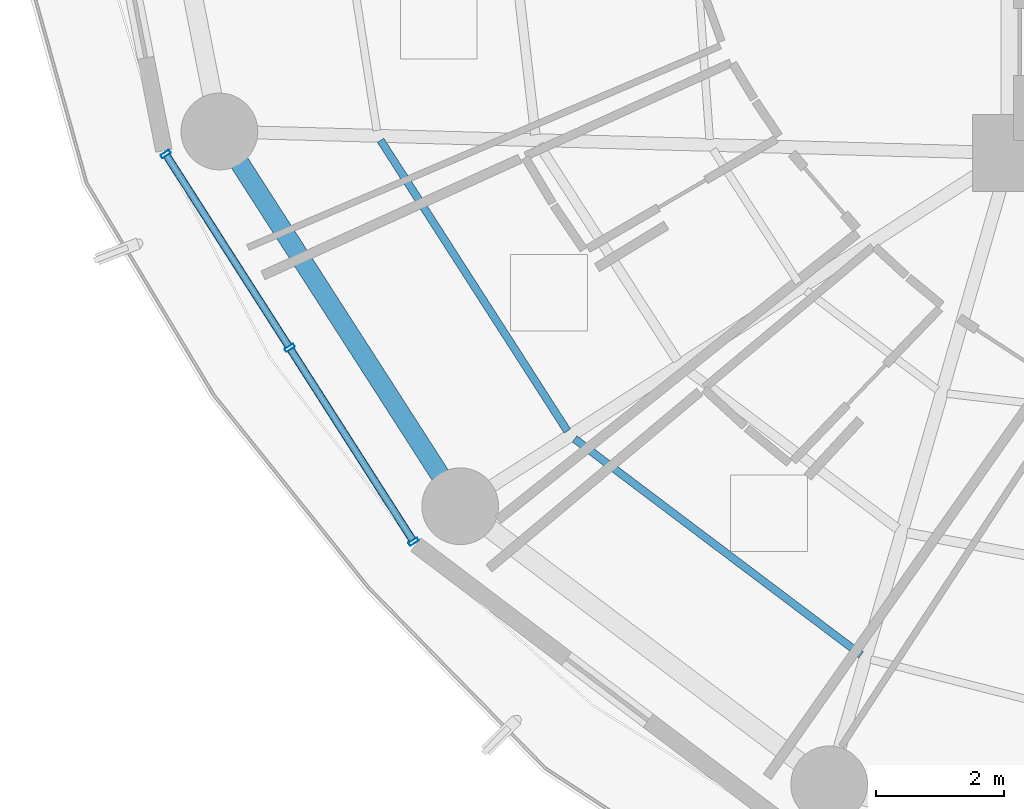
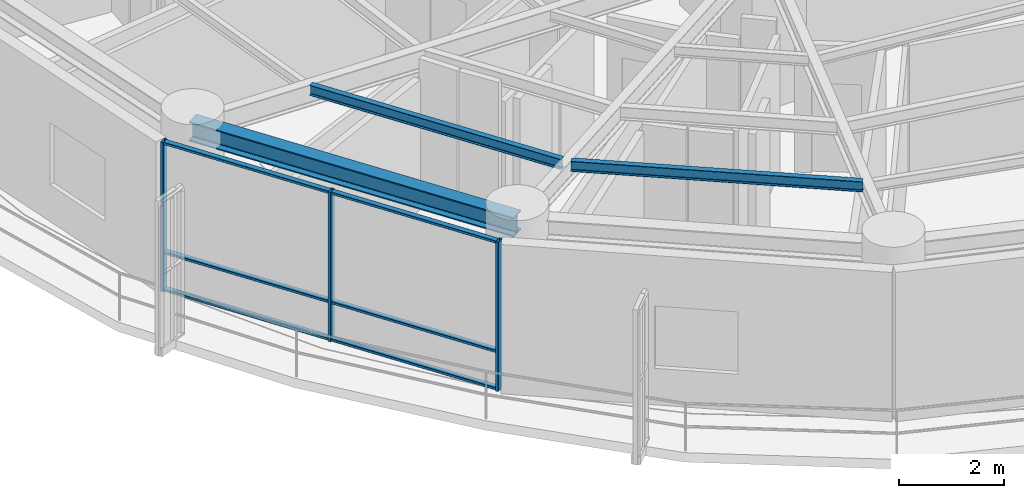
# One storey, part 2 of 27: 9 members, 3 beams, 1 element without a shape of its own.
"""IFC4 building model written with IfcOpenShell, lengths in metres."""

import ifcopenshell
import ifcopenshell.guid

model = None  # the IFC model being written
_history = None  # IfcOwnerHistory: only IFC2X3 demands one
_inside = {}  # id of a spatial element -> (the spatial element, [elements in it])
_under = {}  # id of a project, library or spatial element -> (it, [spatial elements below it])
_declared = {}  # id of a project -> (the project, [libraries it declares])
_typed = {}  # id of a type object -> (the type object, [elements of that type])
_made_of = {}  # id of a material, layer set ... -> (it, [elements and type objects made of it])


def new_model(schema):
    """Start an empty IFC model of exactly this schema.

    Asked for "IFC4X3", IfcOpenShell would pick the latest addendum, in which some entities
    have other attributes; the version numbers below select the first issue.
    IFC2X3 requires an IfcOwnerHistory on every rooted entity: one is made here for all.
    """
    global model, _history
    if schema == "IFC4X3":
        model = ifcopenshell.file(schema_version=(4, 3, 0, 0))
    else:
        model = ifcopenshell.file(schema=schema)
    _inside.clear()
    _under.clear()
    _declared.clear()
    _typed.clear()
    _made_of.clear()
    _history = None
    if model.schema == "IFC2X3":
        org = make("IfcOrganization", Name="unknown")
        user = make(
            "IfcPersonAndOrganization",
            ThePerson=make("IfcPerson", FamilyName="unknown"),
            TheOrganization=org,
        )
        app = make(
            "IfcApplication",
            ApplicationDeveloper=org,
            Version="unknown",
            ApplicationFullName="unknown",
            ApplicationIdentifier="unknown",
        )
        _history = make(
            "IfcOwnerHistory",
            OwningUser=user,
            OwningApplication=app,
            ChangeAction="ADDED",
            CreationDate=0,
        )
    return model


def make(cls, **values):
    """One entity of the class cls with the attributes given. An attribute that is None is left unset."""
    return model.create_entity(
        cls, **{name: value for name, value in values.items() if value is not None}
    )


def rooted(cls, **values):
    """An entity with a GlobalId (a new one), such as an element, a storey or a relation."""
    return make(cls, GlobalId=ifcopenshell.guid.new(), OwnerHistory=_history, **values)


def si_unit(unit_type, name, prefix=None):
    """IfcSIUnit, for example si_unit("LENGTHUNIT", "METRE", prefix="MILLI")."""
    return make("IfcSIUnit", UnitType=unit_type, Prefix=prefix, Name=name)


def assignment(units):
    """IfcUnitAssignment: the units of a project."""
    return None if units is None else make("IfcUnitAssignment", Units=units)


def point(xyz):
    """IfcCartesianPoint."""
    return None if xyz is None else make("IfcCartesianPoint", Coordinates=xyz)


def direction(xyz):
    """IfcDirection."""
    return None if xyz is None else make("IfcDirection", DirectionRatios=xyz)


def frame(location, z_axis=None, x_axis=None):
    """IfcAxis2Placement3D, a coordinate frame: its origin and axes. An axis left out is left unset."""
    return make(
        "IfcAxis2Placement3D",
        Location=point(location),
        Axis=direction(z_axis),
        RefDirection=direction(x_axis),
    )


def frame_2d(location, x_axis=None):
    """IfcAxis2Placement2D, a coordinate frame in the plane: its origin and x axis."""
    return make(
        "IfcAxis2Placement2D", Location=point(location), RefDirection=direction(x_axis)
    )


def origin():
    """The frame at (0, 0, 0) with its axes left unset."""
    return frame((0.0, 0.0, 0.0))


def origin_2d():
    """The frame at (0, 0) in the plane with its x axis left unset."""
    return frame_2d((0.0, 0.0))


def place(relative_to, where):
    """IfcLocalPlacement: puts the frame where relative to a parent placement (None: the world)."""
    return make(
        "IfcLocalPlacement", PlacementRelTo=relative_to, RelativePlacement=where
    )


def context(
    kind, dimensions, precision=None, world=None, true_north=None, identifier=None
):
    """IfcGeometricRepresentationContext, for example the 3D "Model" context."""
    return make(
        "IfcGeometricRepresentationContext",
        ContextIdentifier=identifier,
        ContextType=kind,
        CoordinateSpaceDimension=dimensions,
        Precision=precision,
        WorldCoordinateSystem=world,
        TrueNorth=true_north,
    )


def subcontext(parent, identifier, kind, view, scale=None):
    """IfcGeometricRepresentationSubContext, for example "Body" below "Model"."""
    return make(
        "IfcGeometricRepresentationSubContext",
        ContextIdentifier=identifier,
        ContextType=kind,
        ParentContext=parent,
        TargetScale=scale,
        TargetView=view,
    )


def project(units=None, contexts=None):
    """IfcProject with its units and contexts."""
    return rooted(
        "IfcProject",
        Name="project",
        RepresentationContexts=contexts,
        UnitsInContext=assignment(units),
    )


def spatial(cls, under=None, at=None, **own):
    """A site, building, storey or space (cls), placed at a placement, below another one or the project."""
    s = rooted(cls, ObjectPlacement=at, **own)
    if under is not None:
        _under.setdefault(under.id(), (under, []))[1].append(s)
    return s


def profile(cls, at=None, kind="AREA", **sizes):
    """A parametric profile (cls). Its sizes go by their IFC names, for example OverallWidth=200.0."""
    return make(cls, ProfileType=kind, Position=at, **sizes)


def hollow_rectangle(**sizes):
    """IfcRectangleHollowProfileDef."""
    return profile("IfcRectangleHollowProfileDef", **sizes)


def i_section(**sizes):
    """IfcIShapeProfileDef."""
    return profile("IfcIShapeProfileDef", **sizes)


def extrude(swept, where, along, depth):
    """IfcExtrudedAreaSolid: the profile swept, set in the frame where, extruded along a direction by depth."""
    return make(
        "IfcExtrudedAreaSolid",
        SweptArea=swept,
        Position=where,
        ExtrudedDirection=direction(along),
        Depth=depth,
    )


def shape(context_of_items, identifier, shape_type, items):
    """IfcShapeRepresentation: the items that make up one representation, for example the "Body"."""
    return make(
        "IfcShapeRepresentation",
        ContextOfItems=context_of_items,
        RepresentationIdentifier=identifier,
        RepresentationType=shape_type,
        Items=items,
    )


def material(Name=None, Category=None):
    """IfcMaterial."""
    return make("IfcMaterial", Name=Name, Category=Category)


def layer(
    of_material, thickness, ventilated=None, Name=None, Category=None, Priority=None
):
    """IfcMaterialLayer: one layer of a wall or slab, of a material (None: an air gap)."""
    return make(
        "IfcMaterialLayer",
        Material=of_material,
        LayerThickness=thickness,
        IsVentilated=ventilated,
        Name=Name,
        Category=Category,
        Priority=Priority,
    )


def layer_set(layers, Name=None):
    """IfcMaterialLayerSet."""
    return make("IfcMaterialLayerSet", MaterialLayers=layers, LayerSetName=Name)


def material_profile(
    of_material, cross_section, Name=None, Category=None, Priority=None
):
    """IfcMaterialProfile: a cross section and its material."""
    return make(
        "IfcMaterialProfile",
        Name=Name,
        Material=of_material,
        Profile=cross_section,
        Priority=Priority,
        Category=Category,
    )


def profile_set(profiles, Name=None, composite=None):
    """IfcMaterialProfileSet."""
    return make(
        "IfcMaterialProfileSet",
        Name=Name,
        MaterialProfiles=profiles,
        CompositeProfile=composite,
    )


def made_of(thing, what):
    """Note that an element or type object is made of a material, layer set ...; save() writes the relation."""
    if what is not None:
        _made_of.setdefault(what.id(), (what, []))[1].append(thing)
    return thing


def type_object(cls, material=None, **own):
    """A type object (cls), such as IfcWallType, which elements share."""
    return made_of(rooted(cls, **own), material)


def element(
    cls,
    number,
    at=None,
    inside=None,
    cuts=None,
    type_object=None,
    material=None,
    context=None,
    identifier="Body",
    shape_type=None,
    held_by="IfcProductDefinitionShape",
    body=None,
    shapes=None,
    **own,
):
    """One element of the class cls, such as IfcWall. Its Tag is "e" and its number.

    at: its placement. inside: the storey or other place that contains it. cuts: it is an
    opening in that element (IfcRelVoidsElement). A single representation is given by context,
    identifier, shape_type and body (its items); several are given by shapes. held_by: the class
    of the entity that holds the representations. save() writes the other relations.
    """
    e = rooted(cls, Tag="e%d" % number, ObjectPlacement=at, **own)
    if body is not None:
        shapes = [shape(context, identifier, shape_type, body)]
    if shapes is not None:
        e.Representation = make(held_by, Representations=shapes)
    if inside is not None:
        _inside.setdefault(inside.id(), (inside, []))[1].append(e)
    if cuts is not None:
        rooted(
            "IfcRelVoidsElement", RelatingBuildingElement=cuts, RelatedOpeningElement=e
        )
    if type_object is not None:
        _typed.setdefault(type_object.id(), (type_object, []))[1].append(e)
    return made_of(e, material)


def aggregate(whole, parts):
    """IfcRelAggregates: a whole, such as a stair, and the parts it consists of."""
    return rooted("IfcRelAggregates", RelatingObject=whole, RelatedObjects=parts)


def save(model, path):
    """Write the relations noted so far, then the file.

    IfcRelAggregates (storeys below a building ...), IfcRelContainedInSpatialStructure (elements
    in a storey), IfcRelDefinesByType, IfcRelAssociatesMaterial and IfcRelDeclares: one each for
    every whole, place, type object, material and project.
    """
    for whole, parts in _under.values():
        aggregate(whole, parts)
    for where, things in _inside.values():
        rooted(
            "IfcRelContainedInSpatialStructure",
            RelatedElements=things,
            RelatingStructure=where,
        )
    for kind, things in _typed.values():
        rooted("IfcRelDefinesByType", RelatedObjects=things, RelatingType=kind)
    for what, things in _made_of.values():
        rooted("IfcRelAssociatesMaterial", RelatedObjects=things, RelatingMaterial=what)
    for by, libraries in _declared.values():
        rooted("IfcRelDeclares", RelatingContext=by, RelatedDefinitions=libraries)
    model.write(path)


model = new_model("IFC4")

# Units and contexts
model_context = context("Model", 3, precision=1e-05, world=origin(), true_north=direction((0.0, 1.0)))
body_context = subcontext(model_context, "Body", "Model", "MODEL_VIEW")
ifc_project = project(units=[si_unit("LENGTHUNIT", "METRE"), si_unit("AREAUNIT", "SQUARE_METRE"), si_unit("VOLUMEUNIT", "CUBIC_METRE"), si_unit("PLANEANGLEUNIT", "RADIAN"), si_unit("MASSUNIT", "GRAM", prefix="KILO")], contexts=[model_context])

# Site, building, storey
site_placement = place(None, origin())
site = spatial("IfcSite", under=ifc_project, at=site_placement, CompositionType="ELEMENT")
building_placement = place(site_placement, origin())
building = spatial("IfcBuilding", under=site, at=building_placement, Name="Kelanora Arch Commons", CompositionType="ELEMENT")
storey_placement = place(building_placement, frame((0.0, 0.0, 173.10009765625)))
storey = spatial("IfcBuildingStorey", under=building, at=storey_placement, Name="L44", CompositionType="ELEMENT", Elevation=173.10009765625)

# Beams
ifc_material_1 = material(Name="Steel S355", Category="steel")
ifc_material_profile_1 = material_profile(ifc_material_1, i_section(OverallWidth=0.1201171875, OverallDepth=0.239990234375, WebThickness=0.006103515625, FlangeThickness=0.009765625, FilletRadius=0.014892578125, at=origin_2d()), Name="IPE240")
ifc_profile_set_1 = profile_set([ifc_material_profile_1], Name="Steel S355")
beam_type_1 = type_object("IfcBeamType", Name="BM-JST-02", PredefinedType="JOIST", material=ifc_profile_set_1)
beam_1_placement = place(storey_placement, frame((56.14794921875, 51.198486328125, 3.369873046875), z_axis=(0.540581678156, -0.841291536414, 0.0), x_axis=(0.841291536414, 0.540581678156, 0.0)))
element("IfcBeam", 1, at=beam_1_placement, inside=storey, type_object=beam_type_1, Name="Secondary Chord Joist BJC-20 L44", PredefinedType="JOIST", context=body_context, shape_type="SweptSolid", body=[
    extrude(i_section(OverallWidth=0.1201171875, OverallDepth=0.239990234375, WebThickness=0.006103515625, FlangeThickness=0.009765625, FilletRadius=0.014892578125, at=origin_2d()), origin(), (0.0, 0.0, 1.0), 5.4013671875),
])
beam_2_placement = place(storey_placement, frame((59.181640625, 46.531494140625, 3.369873046875), z_axis=(0.798493128577, -0.602003923256, 0.0), x_axis=(0.602003923256, 0.798493128577, 0.0)))
element("IfcBeam", 2, at=beam_2_placement, inside=storey, type_object=beam_type_1, Name="Secondary Chord Joist BJC-22 L44", PredefinedType="JOIST", context=body_context, shape_type="SweptSolid", body=[
    extrude(i_section(OverallWidth=0.1201171875, OverallDepth=0.239990234375, WebThickness=0.006103515625, FlangeThickness=0.009765625, FilletRadius=0.014892578125, at=origin_2d()), origin(), (0.0, 0.0, 1.0), 5.608642578125),
])
ifc_material_profile_2 = material_profile(ifc_material_1, i_section(OverallWidth=0.300048828125, OverallDepth=0.449951171875, WebThickness=0.013916015625, FlangeThickness=0.02587890625, FilletRadius=0.027099609375, at=origin_2d()), Name="HEB450")
ifc_profile_set_2 = profile_set([ifc_material_profile_2], Name="Steel S355")
beam_type_2 = type_object("IfcBeamType", Name="BM-SPN-Z3", PredefinedType="SPANDREL", material=ifc_profile_set_2)
beam_3_placement = place(storey_placement, frame((53.62744140625, 51.33740234375, 3.264892578125), z_axis=(0.540576852469, -0.841294637196, 0.0), x_axis=(0.841294637196, 0.540576852469, 0.0)))
element("IfcBeam", 3, at=beam_3_placement, inside=storey, type_object=beam_type_2, Name="Perimeter Spandrel Beam BS-20 L44", PredefinedType="SPANDREL", context=body_context, shape_type="SweptSolid", body=[
    extrude(i_section(OverallWidth=0.300048828125, OverallDepth=0.449951171875, WebThickness=0.013916015625, FlangeThickness=0.02587890625, FilletRadius=0.027099609375, at=origin_2d()), origin(), (0.0, 0.0, 1.0), 6.964111328125),
])

# Curtain wall, members
ifc_material_2 = material(Name="Terracotta ceramic-fritted low-E glass and aluminium", Category="masonry")
ifc_layer = layer(ifc_material_2, 0.175048828125)
ifc_layer_set = layer_set([ifc_layer], Name="Terracotta ceramic-fritted low-E glass and aluminium")
curtain_wall_type = type_object("IfcCurtainWallType", Name="CW-SYS-02", PredefinedType="NOTDEFINED", material=ifc_layer_set)
curtain_wall_placement = place(storey_placement, origin())
curtain_wall = element("IfcCurtainWall", 4, at=curtain_wall_placement, inside=storey, type_object=curtain_wall_type, Name="Unitised Curtain Wall L44-B10", PredefinedType="NOTDEFINED")
ifc_material_3 = material(Name="Powder-coated aluminium terracotta", Category="masonry")
ifc_material_profile_3 = material_profile(ifc_material_3, hollow_rectangle(XDim=0.159912109375, YDim=0.06005859375, WallThickness=0.0048828125, InnerFilletRadius=0.0048828125, OuterFilletRadius=0.010009765625, at=origin_2d()), Name="CWM160x60")
ifc_profile_set_3 = profile_set([ifc_material_profile_3], Name="Powder-coated aluminium terracotta")
member_type_1 = type_object("IfcMemberType", Name="CWM-STD", PredefinedType="MULLION", material=ifc_profile_set_3)
member_1_placement = place(storey_placement, frame((52.787109375, 50.98486328125, 0.0), z_axis=(0.0, 0.0, 1.0), x_axis=(0.842422846546, 0.538816988983, 0.0)))
member_1 = element("IfcMember", 5, at=member_1_placement, type_object=member_type_1, Name="CW-02 mullion 1", PredefinedType="MULLION", context=body_context, shape_type="SweptSolid", body=[
    extrude(hollow_rectangle(XDim=0.159912109375, YDim=0.06005859375, WallThickness=0.0048828125, InnerFilletRadius=0.0048828125, OuterFilletRadius=0.010009765625, at=origin_2d()), origin(), (0.0, 0.0, 1.0), 3.474853515625),
])
member_2_placement = place(storey_placement, frame((54.72509765625, 47.954833984375, 0.0), z_axis=(0.0, 0.0, 1.0), x_axis=(0.842422846546, 0.538816988983, 0.0)))
member_2 = element("IfcMember", 6, at=member_2_placement, type_object=member_type_1, Name="CW-02 mullion 2", PredefinedType="MULLION", context=body_context, shape_type="SweptSolid", body=[
    extrude(hollow_rectangle(XDim=0.159912109375, YDim=0.06005859375, WallThickness=0.0048828125, InnerFilletRadius=0.0048828125, OuterFilletRadius=0.010009765625, at=origin_2d()), origin(), (0.0, 0.0, 1.0), 3.474853515625),
])
member_3_placement = place(storey_placement, frame((56.6630859375, 44.925048828125, 0.0), z_axis=(0.0, 0.0, 1.0), x_axis=(0.842422846546, 0.538816988983, 0.0)))
member_3 = element("IfcMember", 7, at=member_3_placement, type_object=member_type_1, Name="CW-02 mullion 3", PredefinedType="MULLION", context=body_context, shape_type="SweptSolid", body=[
    extrude(hollow_rectangle(XDim=0.159912109375, YDim=0.06005859375, WallThickness=0.0048828125, InnerFilletRadius=0.0048828125, OuterFilletRadius=0.010009765625, at=origin_2d()), origin(), (0.0, 0.0, 1.0), 3.474853515625),
])
ifc_material_profile_4 = material_profile(ifc_material_3, hollow_rectangle(XDim=0.1201171875, YDim=0.06005859375, WallThickness=0.0048828125, InnerFilletRadius=0.0048828125, OuterFilletRadius=0.010009765625, at=origin_2d()), Name="CWT120x60")
ifc_profile_set_4 = profile_set([ifc_material_profile_4], Name="Powder-coated aluminium terracotta")
member_type_2 = type_object("IfcMemberType", Name="CWT-STD", PredefinedType="USERDEFINED", material=ifc_profile_set_4)
member_4_placement = place(storey_placement, frame((52.80322265625, 50.959716796875, 0.02978515625), z_axis=(0.53883037555, -0.842414284295, 0.0), x_axis=(0.842414284295, 0.53883037555, 0.0)))
member_4 = element("IfcMember", 8, at=member_4_placement, type_object=member_type_2, Name="CW-02 transom 1.1", ObjectType="TRANSOM", PredefinedType="USERDEFINED", context=body_context, shape_type="SweptSolid", body=[
    extrude(hollow_rectangle(XDim=0.1201171875, YDim=0.06005859375, WallThickness=0.0048828125, InnerFilletRadius=0.0048828125, OuterFilletRadius=0.010009765625, at=origin_2d()), origin(), (0.0, 0.0, 1.0), 3.536865234375),
])
member_5_placement = place(storey_placement, frame((52.80322265625, 50.959716796875, 0.89990234375), z_axis=(0.53883037555, -0.842414284295, 0.0), x_axis=(0.842414284295, 0.53883037555, 0.0)))
member_5 = element("IfcMember", 9, at=member_5_placement, type_object=member_type_2, Name="CW-02 transom 1.2", ObjectType="TRANSOM", PredefinedType="USERDEFINED", context=body_context, shape_type="SweptSolid", body=[
    extrude(hollow_rectangle(XDim=0.1201171875, YDim=0.06005859375, WallThickness=0.0048828125, InnerFilletRadius=0.0048828125, OuterFilletRadius=0.010009765625, at=origin_2d()), origin(), (0.0, 0.0, 1.0), 3.536865234375),
])
member_6_placement = place(storey_placement, frame((52.80322265625, 50.959716796875, 3.44482421875), z_axis=(0.53883037555, -0.842414284295, 0.0), x_axis=(0.842414284295, 0.53883037555, 0.0)))
member_6 = element("IfcMember", 10, at=member_6_placement, type_object=member_type_2, Name="CW-02 transom 1.3", ObjectType="TRANSOM", PredefinedType="USERDEFINED", context=body_context, shape_type="SweptSolid", body=[
    extrude(hollow_rectangle(XDim=0.1201171875, YDim=0.06005859375, WallThickness=0.0048828125, InnerFilletRadius=0.0048828125, OuterFilletRadius=0.010009765625, at=origin_2d()), origin(), (0.0, 0.0, 1.0), 3.536865234375),
])
member_7_placement = place(storey_placement, frame((54.7412109375, 47.9296875, 0.02978515625), z_axis=(0.53883037555, -0.842414284295, 0.0), x_axis=(0.842414284295, 0.53883037555, 0.0)))
member_7 = element("IfcMember", 11, at=member_7_placement, type_object=member_type_2, Name="CW-02 transom 2.1", ObjectType="TRANSOM", PredefinedType="USERDEFINED", context=body_context, shape_type="SweptSolid", body=[
    extrude(hollow_rectangle(XDim=0.1201171875, YDim=0.06005859375, WallThickness=0.0048828125, InnerFilletRadius=0.0048828125, OuterFilletRadius=0.010009765625, at=origin_2d()), origin(), (0.0, 0.0, 1.0), 3.536865234375),
])
member_8_placement = place(storey_placement, frame((54.7412109375, 47.9296875, 0.89990234375), z_axis=(0.53883037555, -0.842414284295, 0.0), x_axis=(0.842414284295, 0.53883037555, 0.0)))
member_8 = element("IfcMember", 12, at=member_8_placement, type_object=member_type_2, Name="CW-02 transom 2.2", ObjectType="TRANSOM", PredefinedType="USERDEFINED", context=body_context, shape_type="SweptSolid", body=[
    extrude(hollow_rectangle(XDim=0.1201171875, YDim=0.06005859375, WallThickness=0.0048828125, InnerFilletRadius=0.0048828125, OuterFilletRadius=0.010009765625, at=origin_2d()), origin(), (0.0, 0.0, 1.0), 3.536865234375),
])
member_9_placement = place(storey_placement, frame((54.7412109375, 47.9296875, 3.44482421875), z_axis=(0.53883037555, -0.842414284295, 0.0), x_axis=(0.842414284295, 0.53883037555, 0.0)))
member_9 = element("IfcMember", 13, at=member_9_placement, type_object=member_type_2, Name="CW-02 transom 2.3", ObjectType="TRANSOM", PredefinedType="USERDEFINED", context=body_context, shape_type="SweptSolid", body=[
    extrude(hollow_rectangle(XDim=0.1201171875, YDim=0.06005859375, WallThickness=0.0048828125, InnerFilletRadius=0.0048828125, OuterFilletRadius=0.010009765625, at=origin_2d()), origin(), (0.0, 0.0, 1.0), 3.536865234375),
])
aggregate(curtain_wall, [member_1, member_2, member_3, member_4, member_5, member_6, member_7, member_8, member_9])

save(model, "model.ifc")
